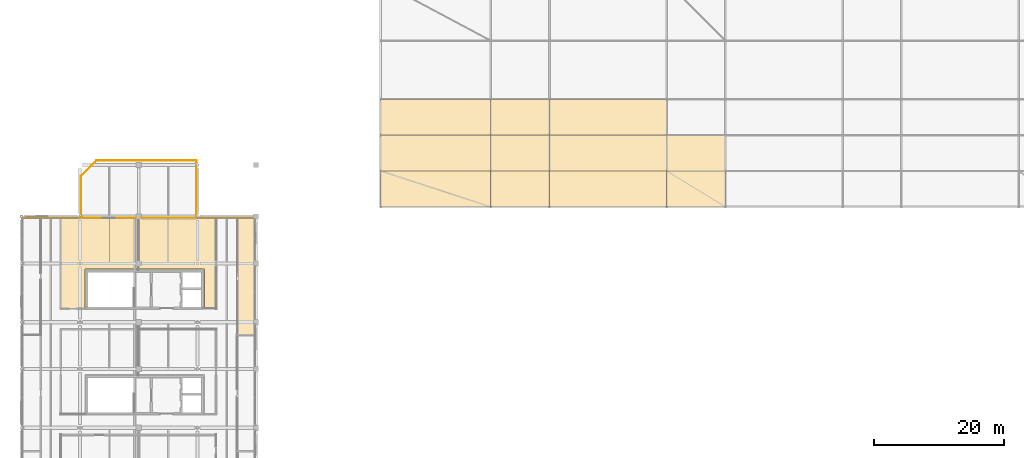
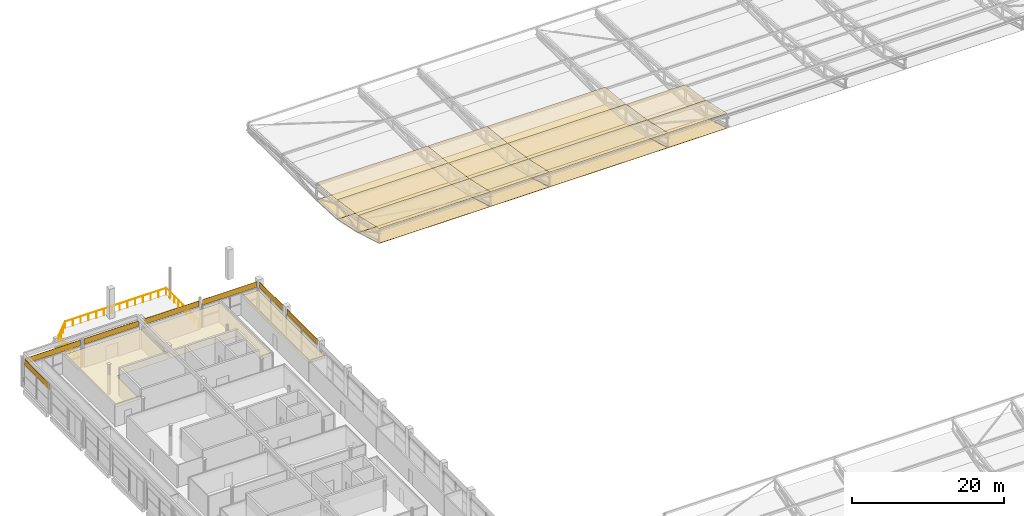
# One storey, part 110 of 114: 31 coverings, 4 railings, 1 element without a shape of its own.
"""IFC4 building model written with IfcOpenShell, lengths in metres."""

from ifc_helpers import new_model, si_unit, direction, frame, origin, origin_2d, place, context, subcontext, project, spatial, polyline, rectangle, circle, outline, extrude, material, layer, layer_set, type_object, element, aggregate, save


model = new_model("IFC4")

# Units and contexts
model_context = context("Model", 3, precision=1e-05, world=origin(), true_north=direction((0.0, 1.0)))
body_context = subcontext(model_context, "Body", "Model", "MODEL_VIEW")
ifc_project = project(units=[si_unit("LENGTHUNIT", "METRE"), si_unit("AREAUNIT", "SQUARE_METRE"), si_unit("VOLUMEUNIT", "CUBIC_METRE"), si_unit("PLANEANGLEUNIT", "RADIAN"), si_unit("MASSUNIT", "GRAM", prefix="KILO"), si_unit("THERMODYNAMICTEMPERATUREUNIT", "KELVIN"), si_unit("POWERUNIT", "WATT")], contexts=[model_context])

# Site, building, storey
site_placement = place(None, origin())
site = spatial("IfcSite", under=ifc_project, at=site_placement, CompositionType="ELEMENT")
building_placement = place(site_placement, origin())
building = spatial("IfcBuilding", under=site, at=building_placement, Name="Sindhuravela Promenade Stadium", CompositionType="ELEMENT")
storey_placement = place(building_placement, frame((0.0, 0.0, 24.0)))
storey = spatial("IfcBuildingStorey", under=building, at=storey_placement, Name="L05", CompositionType="ELEMENT", Elevation=24.0)

# Coverings
ifc_material_1 = material(Name="Acoustic mineral-fibre ceiling tile", Category="gypsum")
ifc_layer_1 = layer(ifc_material_1, 0.02490234375)
ifc_layer_set_1 = layer_set([ifc_layer_1], Name="Acoustic mineral-fibre ceiling tile")
covering_type_1 = type_object("IfcCoveringType", Name="CV-CEIL-1", PredefinedType="CEILING", material=ifc_layer_set_1)
covering_1_placement = place(storey_placement, frame((0.0, 0.0, 3.050048828125)))
element("IfcCovering", 1, at=covering_1_placement, inside=storey, type_object=covering_type_1, Name="Acoustic ceiling Tribune Fixed Seating L05", PredefinedType="CEILING", context=body_context, shape_type="SweptSolid", body=[
    extrude(outline(polyline([(9.719970703125, 108.97998046875), (9.719970703125, 102.889892578125), (9.719970703125, 102.887939453125), (9.719482421875, 102.885986328125), (9.718994140625, 102.88427734375), (9.718505859375, 102.88232421875), (9.717529296875, 102.880615234375), (9.716552734375, 102.87890625), (9.715576171875, 102.877197265625), (9.714111328125, 102.8759765625), (9.712646484375, 102.87451171875), (9.711181640625, 102.873291015625), (9.70947265625, 102.872314453125), (9.707763671875, 102.87158203125), (9.705810546875, 102.870849609375), (9.703857421875, 102.870361328125), (9.701904296875, 102.8701171875), (9.699951171875, 102.8701171875), (6.0400390625, 102.8701171875), (6.0380859375, 102.8701171875), (6.0361328125, 102.870361328125), (6.0341796875, 102.870849609375), (6.0322265625, 102.87158203125), (6.030517578125, 102.872314453125), (6.02880859375, 102.873291015625), (6.02734375, 102.87451171875), (6.02587890625, 102.8759765625), (6.0244140625, 102.877197265625), (6.0234375, 102.87890625), (6.0224609375, 102.880615234375), (6.021484375, 102.88232421875), (6.02099609375, 102.88427734375), (6.0205078125, 102.885986328125), (6.02001953125, 102.887939453125), (6.02001953125, 102.889892578125), (6.02001953125, 116.679931640625), (6.02001953125, 116.681884765625), (6.0205078125, 116.683837890625), (6.02099609375, 116.685791015625), (6.021484375, 116.687744140625), (6.0224609375, 116.689453125), (6.0234375, 116.691162109375), (6.0244140625, 116.692626953125), (6.02587890625, 116.694091796875), (6.02734375, 116.695556640625), (6.02880859375, 116.696533203125), (6.030517578125, 116.697509765625), (6.0322265625, 116.698486328125), (6.0341796875, 116.69921875), (6.0361328125, 116.69970703125), (6.0380859375, 116.699951171875), (6.0400390625, 116.699951171875), (17.830078125, 116.699951171875), (17.83203125, 116.699951171875), (17.833984375, 116.69970703125), (17.835693359375, 116.69921875), (17.837646484375, 116.698486328125), (17.83935546875, 116.697509765625), (17.841064453125, 116.696533203125), (17.8427734375, 116.695556640625), (17.843994140625, 116.694091796875), (17.845458984375, 116.692626953125), (17.8466796875, 116.691162109375), (17.84765625, 116.689453125), (17.848388671875, 116.687744140625), (17.84912109375, 116.685791015625), (17.849609375, 116.683837890625), (17.849853515625, 116.681884765625), (17.85009765625, 116.679931640625), (17.85009765625, 109.0), (17.849853515625, 108.998046875), (17.849609375, 108.99609375), (17.84912109375, 108.994140625), (17.848388671875, 108.9921875), (17.84765625, 108.990478515625), (17.8466796875, 108.989013671875), (17.845458984375, 108.9873046875), (17.843994140625, 108.98583984375), (17.8427734375, 108.984619140625), (17.841064453125, 108.9833984375), (17.83935546875, 108.982421875), (17.837646484375, 108.9814453125), (17.835693359375, 108.98095703125), (17.833984375, 108.98046875), (17.83203125, 108.97998046875), (17.830078125, 108.97998046875), (9.719970703125, 108.97998046875)])), origin(), (0.0, 0.0, 1.0), 0.02490234375),
])
covering_2_placement = place(storey_placement, frame((0.0, 0.0, 3.050048828125)))
element("IfcCovering", 2, at=covering_2_placement, inside=storey, type_object=covering_type_1, Name="Acoustic ceiling Television Broadcast Studio B", PredefinedType="CEILING", context=body_context, shape_type="SweptSolid", body=[
    extrude(outline(polyline([(29.8798828125, 102.889892578125), (29.8798828125, 102.887939453125), (29.879638671875, 102.885986328125), (29.879150390625, 102.88427734375), (29.87841796875, 102.88232421875), (29.877685546875, 102.880615234375), (29.876708984375, 102.87890625), (29.87548828125, 102.877197265625), (29.8740234375, 102.8759765625), (29.872802734375, 102.87451171875), (29.87109375, 102.873291015625), (29.869384765625, 102.872314453125), (29.86767578125, 102.87158203125), (29.86572265625, 102.870849609375), (29.864013671875, 102.870361328125), (29.862060546875, 102.8701171875), (29.860107421875, 102.8701171875), (28.10009765625, 102.8701171875), (28.097900390625, 102.8701171875), (28.09619140625, 102.870361328125), (28.09423828125, 102.870849609375), (28.09228515625, 102.87158203125), (28.090576171875, 102.872314453125), (28.0888671875, 102.873291015625), (28.08740234375, 102.87451171875), (28.0859375, 102.8759765625), (28.08447265625, 102.877197265625), (28.08349609375, 102.87890625), (28.08251953125, 102.880615234375), (28.08154296875, 102.88232421875), (28.080810546875, 102.88427734375), (28.080322265625, 102.885986328125), (28.080078125, 102.887939453125), (28.080078125, 102.889892578125), (28.080078125, 108.97998046875), (18.070068359375, 108.97998046875), (18.068115234375, 108.97998046875), (18.066162109375, 108.98046875), (18.064208984375, 108.98095703125), (18.062255859375, 108.9814453125), (18.060546875, 108.982421875), (18.058837890625, 108.9833984375), (18.057373046875, 108.984619140625), (18.055908203125, 108.98583984375), (18.054443359375, 108.9873046875), (18.053466796875, 108.989013671875), (18.052490234375, 108.990478515625), (18.051513671875, 108.9921875), (18.05078125, 108.994140625), (18.05029296875, 108.99609375), (18.050048828125, 108.998046875), (18.050048828125, 109.0), (18.050048828125, 116.679931640625), (18.050048828125, 116.681884765625), (18.05029296875, 116.683837890625), (18.05078125, 116.685791015625), (18.051513671875, 116.687744140625), (18.052490234375, 116.689453125), (18.053466796875, 116.691162109375), (18.054443359375, 116.692626953125), (18.055908203125, 116.694091796875), (18.057373046875, 116.695556640625), (18.058837890625, 116.696533203125), (18.060546875, 116.697509765625), (18.062255859375, 116.698486328125), (18.064208984375, 116.69921875), (18.066162109375, 116.69970703125), (18.068115234375, 116.699951171875), (18.070068359375, 116.699951171875), (29.860107421875, 116.699951171875), (29.862060546875, 116.699951171875), (29.864013671875, 116.69970703125), (29.86572265625, 116.69921875), (29.86767578125, 116.698486328125), (29.869384765625, 116.697509765625), (29.87109375, 116.696533203125), (29.872802734375, 116.695556640625), (29.8740234375, 116.694091796875), (29.87548828125, 116.692626953125), (29.876708984375, 116.691162109375), (29.877685546875, 116.689453125), (29.87841796875, 116.687744140625), (29.879150390625, 116.685791015625), (29.879638671875, 116.683837890625), (29.8798828125, 116.681884765625), (29.8798828125, 116.679931640625), (29.8798828125, 102.889892578125)])), origin(), (0.0, 0.0, 1.0), 0.02490234375),
])
ifc_layer_2 = layer(ifc_material_1, 0.044921875)
ifc_layer_set_2 = layer_set([ifc_layer_2], Name="Acoustic mineral-fibre ceiling tile")
covering_type_2 = type_object("IfcCoveringType", Name="CV-CEIL-2", PredefinedType="CEILING", material=ifc_layer_set_2)
covering_3_placement = place(storey_placement, frame((0.0, 0.0, 3.050048828125)))
element("IfcCovering", 3, at=covering_3_placement, inside=storey, type_object=covering_type_2, Name="Acoustic ceiling Stadium Control and Security Room 7", PredefinedType="CEILING", context=body_context, shape_type="SweptSolid", body=[
    extrude(outline(polyline([(35.699951171875, 98.9599609375), (35.699951171875, 98.9580078125), (35.69970703125, 98.9560546875), (35.69921875, 98.9541015625), (35.698486328125, 98.952392578125), (35.697509765625, 98.95068359375), (35.696533203125, 98.948974609375), (35.695556640625, 98.947265625), (35.694091796875, 98.94580078125), (35.692626953125, 98.944580078125), (35.691162109375, 98.943359375), (35.689453125, 98.9423828125), (35.687744140625, 98.94140625), (35.685791015625, 98.94091796875), (35.683837890625, 98.9404296875), (35.681884765625, 98.940185546875), (35.679931640625, 98.93994140625), (33.139892578125, 98.93994140625), (33.137939453125, 98.940185546875), (33.135986328125, 98.9404296875), (33.13427734375, 98.94091796875), (33.13232421875, 98.94140625), (33.130615234375, 98.9423828125), (33.12890625, 98.943359375), (33.127197265625, 98.944580078125), (33.1259765625, 98.94580078125), (33.12451171875, 98.947265625), (33.123291015625, 98.948974609375), (33.122314453125, 98.95068359375), (33.12158203125, 98.952392578125), (33.120849609375, 98.9541015625), (33.120361328125, 98.9560546875), (33.1201171875, 98.9580078125), (33.1201171875, 98.9599609375), (33.1201171875, 116.679931640625), (33.1201171875, 116.681884765625), (33.120361328125, 116.683837890625), (33.120849609375, 116.685791015625), (33.12158203125, 116.687744140625), (33.122314453125, 116.689453125), (33.123291015625, 116.691162109375), (33.12451171875, 116.692626953125), (33.1259765625, 116.694091796875), (33.127197265625, 116.695556640625), (33.12890625, 116.696533203125), (33.130615234375, 116.697509765625), (33.13232421875, 116.698486328125), (33.13427734375, 116.69921875), (33.135986328125, 116.69970703125), (33.137939453125, 116.699951171875), (33.139892578125, 116.699951171875), (35.679931640625, 116.699951171875), (35.681884765625, 116.699951171875), (35.683837890625, 116.69970703125), (35.685791015625, 116.69921875), (35.687744140625, 116.698486328125), (35.689453125, 116.697509765625), (35.691162109375, 116.696533203125), (35.692626953125, 116.695556640625), (35.694091796875, 116.694091796875), (35.695556640625, 116.692626953125), (35.696533203125, 116.691162109375), (35.697509765625, 116.689453125), (35.698486328125, 116.687744140625), (35.69921875, 116.685791015625), (35.69970703125, 116.683837890625), (35.699951171875, 116.681884765625), (35.699951171875, 116.679931640625), (35.699951171875, 98.9599609375)])), origin(), (0.0, 0.0, 1.0), 0.044921875),
])

# Roof, coverings
ifc_material_2 = material(Name="Standing-seam zinc-aluminium roof sheet", Category="aluminium")
roof_type = type_object("IfcRoofType", Name="RF-BARREL-N", PredefinedType="BARREL_ROOF", material=ifc_material_2)
roof_placement = place(storey_placement, origin())
roof = element("IfcRoof", 4, at=roof_placement, inside=storey, type_object=roof_type, Name="Cantilevered stand roof assembly N-1", PredefinedType="BARREL_ROOF")
ifc_layer_3 = layer(ifc_material_2, 0.044921875)
ifc_layer_set_3 = layer_set([ifc_layer_3], Name="Standing-seam zinc-aluminium roof sheet")
covering_type_3 = type_object("IfcCoveringType", Name="CV-ROOF-N", PredefinedType="ROOFING", material=ifc_layer_set_3)
covering_4_placement = place(storey_placement, frame((55.10009765625, 135.0, 2.47314453125), z_axis=(0.0, 0.10654559094419869, 0.9943078180575428), x_axis=(1.0, 0.0, 0.0)))
covering_4 = element("IfcCovering", 5, at=covering_4_placement, type_object=covering_type_3, Name="Standing-seam roof covering N bay 1.3", PredefinedType="ROOFING", context=body_context, shape_type="SweptSolid", body=[
    extrude(outline(polyline([(0.0, 0.0), (0.0, -5.531486226010649), (16.89990234375, -5.531486226010649), (16.89990234375, 0.0), (0.0, 0.0)])), origin(), (0.0, 0.0, -1.0), 0.044921875),
])
covering_5_placement = place(storey_placement, frame((55.10009765625, 129.5, 3.0625), z_axis=(0.0, 0.14687168523012892, 0.9891555530237203), x_axis=(1.0, 0.0, 0.0)))
covering_5 = element("IfcCovering", 6, at=covering_5_placement, type_object=covering_type_3, Name="Standing-seam roof covering N bay 1.4", PredefinedType="ROOFING", context=body_context, shape_type="SweptSolid", body=[
    extrude(outline(polyline([(0.0, 0.0), (0.0, -5.560298360745398), (16.89990234375, -5.560298360745398), (16.89990234375, 0.0), (0.0, 0.0)])), origin(), (0.0, 0.0, -1.0), 0.044921875),
])
covering_6_placement = place(storey_placement, frame((55.10009765625, 124.0, 3.879150390625), z_axis=(0.0, 0.21840708317536628, 0.9758577488644687), x_axis=(1.0, 0.0, 0.0)))
covering_6 = element("IfcCovering", 7, at=covering_6_placement, type_object=covering_type_3, Name="Standing-seam roof covering N bay 1.5", PredefinedType="ROOFING", context=body_context, shape_type="SweptSolid", body=[
    extrude(outline(polyline([(0.0, 0.0), (0.0, -5.6360673534640995), (16.89990234375, -5.6360673534640995), (16.89990234375, 0.0), (0.0, 0.0)])), origin(), (0.0, 0.0, -1.0), 0.044921875),
])
covering_7_placement = place(storey_placement, frame((72.0, 135.0, 2.47314453125), z_axis=(0.0, 0.1065455909441987, 0.9943078180575428), x_axis=(1.0, 0.0, 0.0)))
covering_7 = element("IfcCovering", 8, at=covering_7_placement, type_object=covering_type_3, Name="Standing-seam roof covering N bay 2.3", PredefinedType="ROOFING", context=body_context, shape_type="SweptSolid", body=[
    extrude(outline(polyline([(0.0, 0.0), (0.0, -5.531486226010649), (9.0, -5.531486226010649), (9.0, 0.0), (0.0, 0.0)])), origin(), (0.0, 0.0, -1.0), 0.044921875),
])
covering_8_placement = place(storey_placement, frame((72.0, 129.5, 3.0625), z_axis=(0.0, 0.14687168523012892, 0.9891555530237203), x_axis=(1.0, 0.0, 0.0)))
covering_8 = element("IfcCovering", 9, at=covering_8_placement, type_object=covering_type_3, Name="Standing-seam roof covering N bay 2.4", PredefinedType="ROOFING", context=body_context, shape_type="SweptSolid", body=[
    extrude(outline(polyline([(0.0, 0.0), (0.0, -5.560298360745398), (9.0, -5.560298360745398), (9.0, 0.0), (0.0, 0.0)])), origin(), (0.0, 0.0, -1.0), 0.044921875),
])
covering_9_placement = place(storey_placement, frame((72.0, 124.0, 3.879150390625), z_axis=(0.0, 0.2184070831753663, 0.9758577488644689), x_axis=(1.0, 0.0, 0.0)))
covering_9 = element("IfcCovering", 10, at=covering_9_placement, type_object=covering_type_3, Name="Standing-seam roof covering N bay 2.5", PredefinedType="ROOFING", context=body_context, shape_type="SweptSolid", body=[
    extrude(outline(polyline([(0.0, 0.0), (0.0, -5.6360673534640995), (9.0, -5.6360673534640995), (9.0, 0.0), (0.0, 0.0)])), origin(), (0.0, 0.0, -1.0), 0.044921875),
])
covering_10_placement = place(storey_placement, frame((81.0, 135.0, 2.47314453125), z_axis=(0.0, 0.1065455909441987, 0.9943078180575428), x_axis=(1.0, 0.0, 0.0)))
covering_10 = element("IfcCovering", 11, at=covering_10_placement, type_object=covering_type_3, Name="Standing-seam roof covering N bay 3.3", PredefinedType="ROOFING", context=body_context, shape_type="SweptSolid", body=[
    extrude(outline(polyline([(0.0, 0.0), (0.0, -5.531486226010649), (18.0, -5.531486226010649), (18.0, 0.0), (0.0, 0.0)])), origin(), (0.0, 0.0, -1.0), 0.044921875),
])
covering_11_placement = place(storey_placement, frame((81.0, 129.5, 3.0625), z_axis=(0.0, 0.14687168523012892, 0.9891555530237203), x_axis=(1.0, 0.0, 0.0)))
covering_11 = element("IfcCovering", 12, at=covering_11_placement, type_object=covering_type_3, Name="Standing-seam roof covering N bay 3.4", PredefinedType="ROOFING", context=body_context, shape_type="SweptSolid", body=[
    extrude(outline(polyline([(0.0, 0.0), (0.0, -5.560298360745398), (18.0, -5.560298360745398), (18.0, 0.0), (0.0, 0.0)])), origin(), (0.0, 0.0, -1.0), 0.044921875),
])
covering_12_placement = place(storey_placement, frame((81.0, 124.0, 3.879150390625), z_axis=(0.0, 0.2184070831753663, 0.9758577488644689), x_axis=(1.0, 0.0, 0.0)))
covering_12 = element("IfcCovering", 13, at=covering_12_placement, type_object=covering_type_3, Name="Standing-seam roof covering N bay 3.5", PredefinedType="ROOFING", context=body_context, shape_type="SweptSolid", body=[
    extrude(outline(polyline([(0.0, 0.0), (0.0, -5.6360673534640995), (18.0, -5.6360673534640995), (18.0, 0.0), (0.0, 0.0)])), origin(), (0.0, 0.0, -1.0), 0.044921875),
])
covering_13_placement = place(storey_placement, frame((99.0, 129.5, 3.0625), z_axis=(0.0, 0.14687168523012892, 0.9891555530237203), x_axis=(1.0, 0.0, 0.0)))
covering_13 = element("IfcCovering", 14, at=covering_13_placement, type_object=covering_type_3, Name="Standing-seam roof covering N bay 4.4", PredefinedType="ROOFING", context=body_context, shape_type="SweptSolid", body=[
    extrude(outline(polyline([(0.0, 0.0), (0.0, -5.560298360745398), (9.0, -5.560298360745398), (9.0, 0.0), (0.0, 0.0)])), origin(), (0.0, 0.0, -1.0), 0.044921875),
])
covering_14_placement = place(storey_placement, frame((99.0, 124.0, 3.879150390625), z_axis=(0.0, 0.2184070831753663, 0.9758577488644689), x_axis=(1.0, 0.0, 0.0)))
covering_14 = element("IfcCovering", 15, at=covering_14_placement, type_object=covering_type_3, Name="Standing-seam roof covering N bay 4.5", PredefinedType="ROOFING", context=body_context, shape_type="SweptSolid", body=[
    extrude(outline(polyline([(0.0, 0.0), (0.0, -5.6360673534640995), (9.0, -5.6360673534640995), (9.0, 0.0), (0.0, 0.0)])), origin(), (0.0, 0.0, -1.0), 0.044921875),
])
aggregate(roof, [covering_4, covering_5, covering_6, covering_7, covering_8, covering_9, covering_10, covering_11, covering_12, covering_13, covering_14])

# Coverings
ifc_material_3 = material(Name="White PVDF aluminium soffit cladding", Category="aluminium")
ifc_layer_4 = layer(ifc_material_3, 0.034912109375)
ifc_layer_set_4 = layer_set([ifc_layer_4], Name="White PVDF aluminium soffit cladding")
covering_type_4 = type_object("IfcCoveringType", Name="CV-SOFFIT-N", PredefinedType="CEILING", material=ifc_layer_set_4)
covering_15_placement = place(storey_placement, frame((55.10009765625, 135.0, -0.300048828125), z_axis=(0.0, 0.04133538022189949, 0.9991453279387894), x_axis=(1.0, 0.0, 0.0)))
element("IfcCovering", 16, at=covering_15_placement, inside=storey, type_object=covering_type_4, Name="Smooth white canopy soffit cladding N bay 1.3", PredefinedType="CEILING", context=body_context, shape_type="SweptSolid", body=[
    extrude(outline(polyline([(0.0, 0.0), (0.0, -5.5047047173271135), (16.89990234375, -5.5047047173271135), (16.89990234375, 0.0), (0.0, 0.0)])), origin(), (0.0, 0.0, -1.0), 0.034912109375),
])
covering_16_placement = place(storey_placement, frame((55.10009765625, 129.5, -0.072509765625), z_axis=(0.0, 0.21175058451368892, 0.9773237385626683), x_axis=(1.0, 0.0, 0.0)))
element("IfcCovering", 17, at=covering_16_placement, inside=storey, type_object=covering_type_4, Name="Smooth white canopy soffit cladding N bay 1.4", PredefinedType="CEILING", context=body_context, shape_type="SweptSolid", body=[
    extrude(outline(polyline([(0.0, 0.0), (0.0, -5.627613228845485), (16.89990234375, -5.627613228845485), (16.89990234375, 0.0), (0.0, 0.0)])), origin(), (0.0, 0.0, -1.0), 0.034912109375),
])
covering_17_placement = place(storey_placement, frame((55.10009765625, 124.0, 1.119140625), z_axis=(0.0, 0.2802879621914538, 0.9599159641606979), x_axis=(1.0, 0.0, 0.0)))
element("IfcCovering", 18, at=covering_17_placement, inside=storey, type_object=covering_type_4, Name="Smooth white canopy soffit cladding N bay 1.5", PredefinedType="CEILING", context=body_context, shape_type="SweptSolid", body=[
    extrude(outline(polyline([(0.0, 0.0), (0.0, -5.729668226539938), (16.89990234375, -5.729668226539938), (16.89990234375, 0.0), (0.0, 0.0)])), origin(), (0.0, 0.0, -1.0), 0.034912109375),
])
covering_18_placement = place(storey_placement, frame((72.0, 135.0, -0.300048828125), z_axis=(0.0, 0.04133538022189949, 0.9991453279387894), x_axis=(1.0, 0.0, 0.0)))
element("IfcCovering", 19, at=covering_18_placement, inside=storey, type_object=covering_type_4, Name="Smooth white canopy soffit cladding N bay 2.3", PredefinedType="CEILING", context=body_context, shape_type="SweptSolid", body=[
    extrude(outline(polyline([(0.0, 0.0), (0.0, -5.5047047173271135), (9.0, -5.5047047173271135), (9.0, 0.0), (0.0, 0.0)])), origin(), (0.0, 0.0, -1.0), 0.034912109375),
])
covering_19_placement = place(storey_placement, frame((72.0, 129.5, -0.072509765625), z_axis=(0.0, 0.21175058451368897, 0.9773237385626685), x_axis=(1.0, 0.0, 0.0)))
element("IfcCovering", 20, at=covering_19_placement, inside=storey, type_object=covering_type_4, Name="Smooth white canopy soffit cladding N bay 2.4", PredefinedType="CEILING", context=body_context, shape_type="SweptSolid", body=[
    extrude(outline(polyline([(0.0, 0.0), (0.0, -5.627613228845486), (9.0, -5.627613228845486), (9.0, 0.0), (0.0, 0.0)])), origin(), (0.0, 0.0, -1.0), 0.034912109375),
])
covering_20_placement = place(storey_placement, frame((72.0, 124.0, 1.119140625), z_axis=(0.0, 0.28028796219145374, 0.9599159641606978), x_axis=(1.0, 0.0, 0.0)))
element("IfcCovering", 21, at=covering_20_placement, inside=storey, type_object=covering_type_4, Name="Smooth white canopy soffit cladding N bay 2.5", PredefinedType="CEILING", context=body_context, shape_type="SweptSolid", body=[
    extrude(outline(polyline([(0.0, 0.0), (0.0, -5.729668226539937), (9.0, -5.729668226539937), (9.0, 0.0), (0.0, 0.0)])), origin(), (0.0, 0.0, -1.0), 0.034912109375),
])
covering_21_placement = place(storey_placement, frame((81.0, 135.0, -0.300048828125), z_axis=(0.0, 0.04133538022189949, 0.9991453279387894), x_axis=(1.0, 0.0, 0.0)))
element("IfcCovering", 22, at=covering_21_placement, inside=storey, type_object=covering_type_4, Name="Smooth white canopy soffit cladding N bay 3.3", PredefinedType="CEILING", context=body_context, shape_type="SweptSolid", body=[
    extrude(outline(polyline([(0.0, 0.0), (0.0, -5.5047047173271135), (18.0, -5.5047047173271135), (18.0, 0.0), (0.0, 0.0)])), origin(), (0.0, 0.0, -1.0), 0.034912109375),
])
covering_22_placement = place(storey_placement, frame((81.0, 129.5, -0.072509765625), z_axis=(0.0, 0.21175058451368897, 0.9773237385626685), x_axis=(1.0, 0.0, 0.0)))
element("IfcCovering", 23, at=covering_22_placement, inside=storey, type_object=covering_type_4, Name="Smooth white canopy soffit cladding N bay 3.4", PredefinedType="CEILING", context=body_context, shape_type="SweptSolid", body=[
    extrude(outline(polyline([(0.0, 0.0), (0.0, -5.627613228845486), (18.0, -5.627613228845486), (18.0, 0.0), (0.0, 0.0)])), origin(), (0.0, 0.0, -1.0), 0.034912109375),
])
covering_23_placement = place(storey_placement, frame((81.0, 124.0, 1.119140625), z_axis=(0.0, 0.28028796219145374, 0.9599159641606978), x_axis=(1.0, 0.0, 0.0)))
element("IfcCovering", 24, at=covering_23_placement, inside=storey, type_object=covering_type_4, Name="Smooth white canopy soffit cladding N bay 3.5", PredefinedType="CEILING", context=body_context, shape_type="SweptSolid", body=[
    extrude(outline(polyline([(0.0, 0.0), (0.0, -5.729668226539937), (18.0, -5.729668226539937), (18.0, 0.0), (0.0, 0.0)])), origin(), (0.0, 0.0, -1.0), 0.034912109375),
])
covering_24_placement = place(storey_placement, frame((99.0, 124.0, 1.119140625), z_axis=(0.0, 0.28028796219145374, 0.9599159641606978), x_axis=(1.0, 0.0, 0.0)))
element("IfcCovering", 25, at=covering_24_placement, inside=storey, type_object=covering_type_4, Name="Smooth white canopy soffit cladding N bay 4.5", PredefinedType="CEILING", context=body_context, shape_type="SweptSolid", body=[
    extrude(outline(polyline([(0.0, 0.0), (0.0, -5.729668226539937), (9.0, -5.729668226539937), (9.0, 0.0), (0.0, 0.0)])), origin(), (0.0, 0.0, -1.0), 0.034912109375),
])
ifc_material_4 = material(Name="Polychrome trencadis ceramic mosaic", Category="masonry")
ifc_layer_5 = layer(ifc_material_4, 0.034912109375)
ifc_layer_set_5 = layer_set([ifc_layer_5], Name="Polychrome trencadis ceramic mosaic")
covering_type_5 = type_object("IfcCoveringType", Name="CV-TRENC-1", PredefinedType="CLADDING", material=ifc_layer_set_5)
covering_25_placement = place(storey_placement, frame((0.179931640625, 113.39990234375, 3.55517578125), z_axis=(0.0, 0.0, 1.0), x_axis=(0.0, 1.0, 0.0)))
element("IfcCovering", 26, at=covering_25_placement, inside=storey, type_object=covering_type_5, Name="Trencadis ceramic mosaic spandrel frieze WEST L05-126", PredefinedType="CLADDING", context=body_context, shape_type="SweptSolid", body=[
    extrude(rectangle(XDim=6.6640625, YDim=0.034912109375, at=origin_2d()), origin(), (0.0, 0.0, 1.0), 0.905029296875),
])
for number, where, z_axis, x_axis, name in (
    (27, (13.401611328125, 116.820068359375, 3.55517578125), (0.0, 0.0, 1.0), (1.0, 0.0, 0.0), "Trencadis ceramic mosaic spandrel frieze WEST L05-128"),
    (28, (31.401611328125, 116.820068359375, 3.55517578125), (0.0, 0.0, 1.0), (1.0, 0.0, 0.0), "Trencadis ceramic mosaic spandrel frieze WEST L05-130"),
):
    element("IfcCovering", number, at=place(storey_placement, frame(where, z_axis=z_axis, x_axis=x_axis)), inside=storey, type_object=covering_type_5, Name=name, PredefinedType="CLADDING", context=body_context, shape_type="SweptSolid", body=[
        extrude(rectangle(XDim=8.26708984375, YDim=0.034912109375, at=origin_2d()), origin(), (0.0, 0.0, 1.0), 0.905029296875),
    ])
covering_26_placement = place(storey_placement, frame((35.820068359375, 105.300048828125, 3.55517578125), z_axis=(0.0, 0.0, 1.0), x_axis=(0.0, -1.0, 0.0)))
element("IfcCovering", 29, at=covering_26_placement, inside=storey, type_object=covering_type_5, Name="Trencadis ceramic mosaic spandrel frieze WEST L05-132", PredefinedType="CLADDING", context=body_context, shape_type="SweptSolid", body=[
    extrude(rectangle(XDim=8.070068359375, YDim=0.034912109375, at=origin_2d()), origin(), (0.0, 0.0, 1.0), 0.905029296875),
])
ifc_layer_6 = layer(ifc_material_4, 0.050048828125)
ifc_layer_set_6 = layer_set([ifc_layer_6], Name="Polychrome trencadis ceramic mosaic")
covering_type_6 = type_object("IfcCoveringType", Name="CV-TRENC-2", PredefinedType="CLADDING", material=ifc_layer_set_6)
covering_27_placement = place(storey_placement, frame((4.5, 116.820068359375, 3.55517578125), z_axis=(0.0, 0.0, 1.0), x_axis=(1.0, 0.0, 0.0)))
element("IfcCovering", 30, at=covering_27_placement, inside=storey, type_object=covering_type_6, Name="Trencadis ceramic mosaic spandrel frieze WEST L05-127", PredefinedType="CLADDING", context=body_context, shape_type="SweptSolid", body=[
    extrude(rectangle(XDim=8.464111328125, YDim=0.050048828125, at=origin_2d()), origin(), (0.0, 0.0, 1.0), 0.905029296875),
])
covering_28_placement = place(storey_placement, frame((22.598388671875, 116.820068359375, 3.55517578125), z_axis=(0.0, 0.0, 1.0), x_axis=(1.0, 0.0, 0.0)))
element("IfcCovering", 31, at=covering_28_placement, inside=storey, type_object=covering_type_6, Name="Trencadis ceramic mosaic spandrel frieze WEST L05-129", PredefinedType="CLADDING", context=body_context, shape_type="SweptSolid", body=[
    extrude(rectangle(XDim=8.26708984375, YDim=0.050048828125, at=origin_2d()), origin(), (0.0, 0.0, 1.0), 0.905029296875),
])
covering_29_placement = place(storey_placement, frame((35.820068359375, 113.39990234375, 3.55517578125), z_axis=(0.0, 0.0, 1.0), x_axis=(0.0, -1.0, 0.0)))
element("IfcCovering", 32, at=covering_29_placement, inside=storey, type_object=covering_type_6, Name="Trencadis ceramic mosaic spandrel frieze WEST L05-131", PredefinedType="CLADDING", context=body_context, shape_type="SweptSolid", body=[
    extrude(rectangle(XDim=6.27001953125, YDim=0.050048828125, at=origin_2d()), origin(), (0.0, 0.0, 1.0), 0.905029296875),
])

# Railings
ifc_material_5 = material(Name="Architectural wrought steel E350", Category="steel")
railing_type = type_object("IfcRailingType", Name="RL-BAL-1150", PredefinedType="BALUSTRADE", material=ifc_material_5)
railing_1_placement = place(storey_placement, frame((9.139892578125, 117.139892578125, 0.0)))
element("IfcRailing", 33, at=railing_1_placement, inside=storey, type_object=railing_type, Name="Terrace wrought balustrade BL01-53", PredefinedType="BALUSTRADE", context=body_context, shape_type="SweptSolid", body=[
    extrude(circle(Radius=0.02392578125, at=origin_2d()), frame((0.0, 0.0, 1.1259765625), z_axis=(0.0, 1.0, 0.0), x_axis=(-1.0, 0.0, 0.0)), (0.0, 0.0, 1.0), 6.10205078125),
    extrude(circle(Radius=0.02099609375, at=origin_2d()), origin(), (0.0, 0.0, 1.0), 1.101806640625),
    extrude(circle(Radius=0.02099609375, at=origin_2d()), frame((0.0, 1.01708984375, 0.0)), (0.0, 0.0, 1.0), 1.101806640625),
    extrude(circle(Radius=0.02099609375, at=origin_2d()), frame((0.0, 2.033935546875, 0.0)), (0.0, 0.0, 1.0), 1.101806640625),
    extrude(circle(Radius=0.02099609375, at=origin_2d()), frame((0.0, 3.051025390625, 0.0)), (0.0, 0.0, 1.0), 1.101806640625),
    extrude(circle(Radius=0.02099609375, at=origin_2d()), frame((0.0, 4.068115234375, 0.0)), (0.0, 0.0, 1.0), 1.101806640625),
    extrude(circle(Radius=0.02099609375, at=origin_2d()), frame((0.0, 5.0849609375, 0.0)), (0.0, 0.0, 1.0), 1.101806640625),
    extrude(circle(Radius=0.02099609375, at=origin_2d()), frame((0.0, 6.10205078125, 0.0)), (0.0, 0.0, 1.0), 1.101806640625),
])
railing_2_placement = place(storey_placement, frame((9.139892578125, 123.241943359375, 0.0)))
element("IfcRailing", 34, at=railing_2_placement, inside=storey, type_object=railing_type, Name="Terrace wrought balustrade BL01-54", PredefinedType="BALUSTRADE", context=body_context, shape_type="SweptSolid", body=[
    extrude(circle(Radius=0.02392578125, at=origin_2d()), frame((0.0, 0.0, 1.1259765625), z_axis=(0.7071067811865475, 0.7071067811865475, 0.0), x_axis=(-0.7071067811865476, 0.7071067811865476, 0.0)), (0.0, 0.0, 1.0), 3.34912109375),
    extrude(circle(Radius=0.02099609375, at=origin_2d()), origin(), (0.0, 0.0, 1.0), 1.101806640625),
    extrude(circle(Radius=0.02099609375, at=origin_2d()), frame((0.789306640625, 0.789306640625, 0.0)), (0.0, 0.0, 1.0), 1.101806640625),
    extrude(circle(Radius=0.02099609375, at=origin_2d()), frame((1.578857421875, 1.578857421875, 0.0)), (0.0, 0.0, 1.0), 1.101806640625),
    extrude(circle(Radius=0.02099609375, at=origin_2d()), frame((2.3681640625, 2.3681640625, 0.0)), (0.0, 0.0, 1.0), 1.101806640625),
])
railing_3_placement = place(storey_placement, frame((11.508056640625, 125.610107421875, 0.0)))
element("IfcRailing", 35, at=railing_3_placement, inside=storey, type_object=railing_type, Name="Terrace wrought balustrade BL01-55", PredefinedType="BALUSTRADE", context=body_context, shape_type="SweptSolid", body=[
    extrude(circle(Radius=0.02392578125, at=origin_2d()), frame((0.0, 0.0, 1.1259765625), z_axis=(1.0, 0.0, 0.0), x_axis=(0.0, 1.0, 0.0)), (0.0, 0.0, 1.0), 15.35205078125),
    extrude(circle(Radius=0.02099609375, at=origin_2d()), origin(), (0.0, 0.0, 1.0), 1.101806640625),
    extrude(circle(Radius=0.02099609375, at=origin_2d()), frame((1.180908203125, 0.0, 0.0)), (0.0, 0.0, 1.0), 1.101806640625),
    extrude(circle(Radius=0.02099609375, at=origin_2d()), frame((2.36181640625, 0.0, 0.0)), (0.0, 0.0, 1.0), 1.101806640625),
    extrude(circle(Radius=0.02099609375, at=origin_2d()), frame((3.542724609375, 0.0, 0.0)), (0.0, 0.0, 1.0), 1.101806640625),
    extrude(circle(Radius=0.02099609375, at=origin_2d()), frame((4.7236328125, 0.0, 0.0)), (0.0, 0.0, 1.0), 1.101806640625),
    extrude(circle(Radius=0.02099609375, at=origin_2d()), frame((5.904541015625, 0.0, 0.0)), (0.0, 0.0, 1.0), 1.101806640625),
    extrude(circle(Radius=0.02099609375, at=origin_2d()), frame((7.08544921875, 0.0, 0.0)), (0.0, 0.0, 1.0), 1.101806640625),
    extrude(circle(Radius=0.02099609375, at=origin_2d()), frame((8.2666015625, 0.0, 0.0)), (0.0, 0.0, 1.0), 1.101806640625),
    extrude(circle(Radius=0.02099609375, at=origin_2d()), frame((9.447509765625, 0.0, 0.0)), (0.0, 0.0, 1.0), 1.101806640625),
    extrude(circle(Radius=0.02099609375, at=origin_2d()), frame((10.62841796875, 0.0, 0.0)), (0.0, 0.0, 1.0), 1.101806640625),
    extrude(circle(Radius=0.02099609375, at=origin_2d()), frame((11.809326171875, 0.0, 0.0)), (0.0, 0.0, 1.0), 1.101806640625),
    extrude(circle(Radius=0.02099609375, at=origin_2d()), frame((12.990234375, 0.0, 0.0)), (0.0, 0.0, 1.0), 1.101806640625),
    extrude(circle(Radius=0.02099609375, at=origin_2d()), frame((14.171142578125, 0.0, 0.0)), (0.0, 0.0, 1.0), 1.101806640625),
    extrude(circle(Radius=0.02099609375, at=origin_2d()), frame((15.35205078125, 0.0, 0.0)), (0.0, 0.0, 1.0), 1.101806640625),
])
railing_4_placement = place(storey_placement, frame((26.860107421875, 125.610107421875, 0.0)))
element("IfcRailing", 36, at=railing_4_placement, inside=storey, type_object=railing_type, Name="Terrace wrought balustrade BL01-56", PredefinedType="BALUSTRADE", context=body_context, shape_type="SweptSolid", body=[
    extrude(circle(Radius=0.02392578125, at=origin_2d()), frame((0.0, 0.0, 1.1259765625), z_axis=(0.0, -1.0, 0.0), x_axis=(1.0, 0.0, 0.0)), (0.0, 0.0, 1.0), 8.47021484375),
    extrude(circle(Radius=0.02099609375, at=origin_2d()), origin(), (0.0, 0.0, 1.0), 1.101806640625),
    extrude(circle(Radius=0.02099609375, at=origin_2d()), frame((0.0, -1.058837890625, 0.0)), (0.0, 0.0, 1.0), 1.101806640625),
    extrude(circle(Radius=0.02099609375, at=origin_2d()), frame((0.0, -2.11767578125, 0.0)), (0.0, 0.0, 1.0), 1.101806640625),
    extrude(circle(Radius=0.02099609375, at=origin_2d()), frame((0.0, -3.17626953125, 0.0)), (0.0, 0.0, 1.0), 1.101806640625),
    extrude(circle(Radius=0.02099609375, at=origin_2d()), frame((0.0, -4.235107421875, 0.0)), (0.0, 0.0, 1.0), 1.101806640625),
    extrude(circle(Radius=0.02099609375, at=origin_2d()), frame((0.0, -5.2939453125, 0.0)), (0.0, 0.0, 1.0), 1.101806640625),
    extrude(circle(Radius=0.02099609375, at=origin_2d()), frame((0.0, -6.3525390625, 0.0)), (0.0, 0.0, 1.0), 1.101806640625),
    extrude(circle(Radius=0.02099609375, at=origin_2d()), frame((0.0, -7.411376953125, 0.0)), (0.0, 0.0, 1.0), 1.101806640625),
    extrude(circle(Radius=0.02099609375, at=origin_2d()), frame((0.0, -8.47021484375, 0.0)), (0.0, 0.0, 1.0), 1.101806640625),
])

save(model, "model.ifc")
